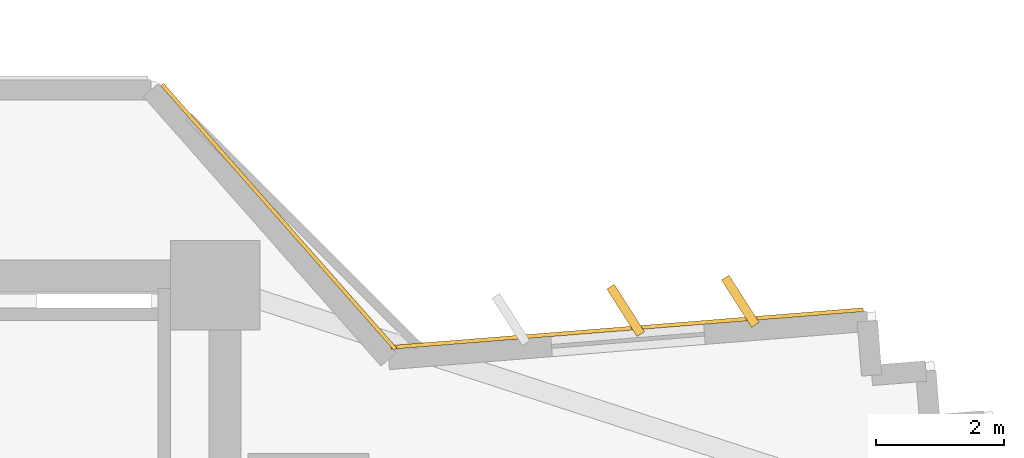
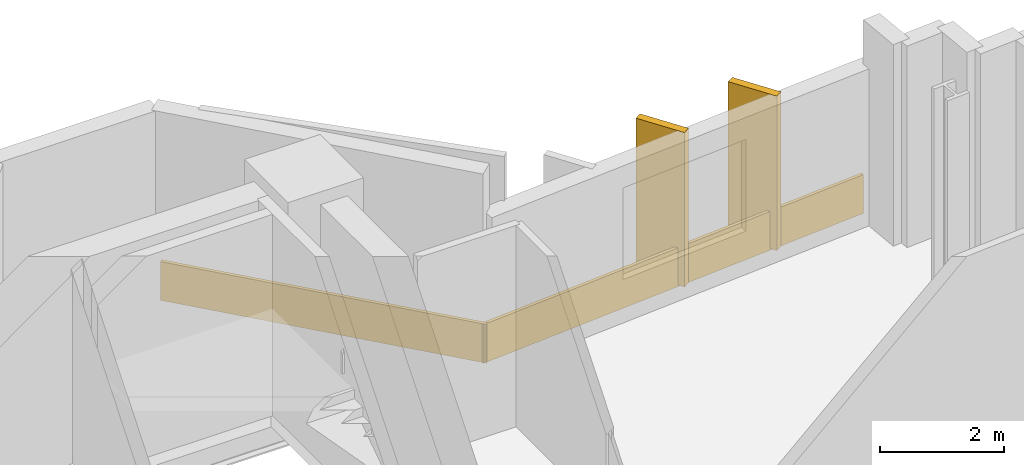
# One storey, part 15 of 15: 4 coverings.
"""IFC4 building model written with IfcOpenShell, lengths in metres."""

from ifc_helpers import new_model, si_unit, direction, frame, origin, origin_2d, place, context, subcontext, project, spatial, rectangle, extrude, source, transform, mapped, material, layer, layer_set, type_object, element, save


model = new_model("IFC4")

# Units and contexts
model_context = context("Model", 3, precision=1e-05, world=origin(), true_north=direction((0.0, 1.0)))
body_context = subcontext(model_context, "Body", "Model", "MODEL_VIEW")
ifc_project = project(units=[si_unit("LENGTHUNIT", "METRE"), si_unit("AREAUNIT", "SQUARE_METRE"), si_unit("VOLUMEUNIT", "CUBIC_METRE"), si_unit("PLANEANGLEUNIT", "RADIAN"), si_unit("MASSUNIT", "GRAM", prefix="KILO")], contexts=[model_context])

# Site, building, storey
site_placement = place(None, origin())
site = spatial("IfcSite", under=ifc_project, at=site_placement, CompositionType="ELEMENT")
building_placement = place(site_placement, origin())
building = spatial("IfcBuilding", under=site, at=building_placement, Name="Zahravan Cultural Tower", CompositionType="ELEMENT")
storey_placement = place(building_placement, frame((0.0, 0.0, 87.89990234375)))
storey = spatial("IfcBuildingStorey", under=building, at=storey_placement, Name="L19", CompositionType="ELEMENT", Elevation=87.89990234375)

# Coverings
ifc_material = material(Name="Terracotta ceramic cladding", Category="masonry")
ifc_layer = layer(ifc_material, 0.06005859375)
ifc_layer_set = layer_set([ifc_layer], Name="Terracotta ceramic cladding")
covering_type = type_object("IfcCoveringType", Name="COV-CLAD-TC60", PredefinedType="CLADDING", material=ifc_layer_set)
shared_shape_1 = source(origin(), body_context, "Body", "SweptSolid", [
    extrude(rectangle(XDim=0.8798828125, YDim=0.139892578125, at=origin_2d()), origin(), (0.0, 0.0, 1.0), 3.030029296875),
])
for number, where, z_axis, x_axis, name in (
    (1, (56.76806640625, 35.80908203125, 0.05029296875), (0.0, 0.0, 1.0), (-0.538182511035, 0.842828324641, 0.0), "L19 Herringbone Terracotta Fin 02"),
    (2, (58.5625, 35.9521484375, 0.05029296875), (0.0, 0.0, 1.0), (-0.538182511035, 0.842828324641, 0.0), "L19 Herringbone Terracotta Fin 03"),
):
    element("IfcCovering", number, at=place(storey_placement, frame(where, z_axis=z_axis, x_axis=x_axis)), inside=storey, type_object=covering_type, Name=name, PredefinedType="CLADDING", context=body_context, shape_type="MappedRepresentation", body=[
        mapped(shared_shape_1, transform((0.0, 0.0, 0.0), x_axis=(1.0, 0.0, 0.0), y_axis=(0.0, 1.0, 0.0), z_axis=(0.0, 0.0, 1.0), scale=1.0)),
    ])
shared_shape_2 = source(origin(), body_context, "Body", "SweptSolid", [
    extrude(rectangle(XDim=7.414794921875, YDim=0.06005859375, at=origin_2d()), origin(), (0.0, 0.0, 1.0), 0.760009765625),
])
covering_1_placement = place(storey_placement, frame((56.790771484375, 35.52490234375, 0.02001953125), z_axis=(0.0, 0.0, 1.0), x_axis=(0.996834624954, 0.079503021908, 0.0)))
element("IfcCovering", 3, at=covering_1_placement, inside=storey, type_object=covering_type, Name="L19 Terracotta Spandrel Cladding 01", PredefinedType="CLADDING", context=body_context, shape_type="MappedRepresentation", body=[
    mapped(shared_shape_2, transform((0.0, 0.0, 0.0), x_axis=(1.0, 0.0, 0.0), y_axis=(0.0, 1.0, 0.0), z_axis=(0.0, 0.0, 1.0), scale=1.0)),
])
shared_shape_3 = source(origin(), body_context, "Body", "SweptSolid", [
    extrude(rectangle(XDim=5.52294921875, YDim=0.06005859375, at=origin_2d()), origin(), (0.0, 0.0, 1.0), 0.760009765625),
])
covering_2_placement = place(storey_placement, frame((51.33984375, 37.273193359375, 0.02001953125), z_axis=(0.0, 0.0, 1.0), x_axis=(0.66123331025, -0.750180317934, 0.0)))
element("IfcCovering", 4, at=covering_2_placement, inside=storey, type_object=covering_type, Name="L19 Terracotta Spandrel Cladding 52", PredefinedType="CLADDING", context=body_context, shape_type="MappedRepresentation", body=[
    mapped(shared_shape_3, transform((0.0, 0.0, 0.0), x_axis=(1.0, 0.0, 0.0), y_axis=(0.0, 1.0, 0.0), z_axis=(0.0, 0.0, 1.0), scale=1.0)),
])

save(model, "model.ifc")
